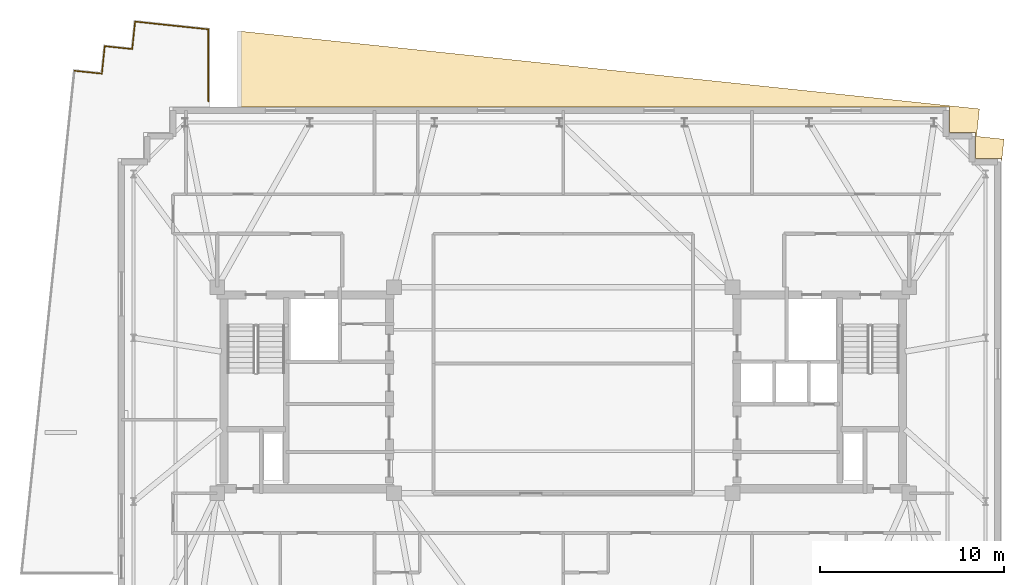
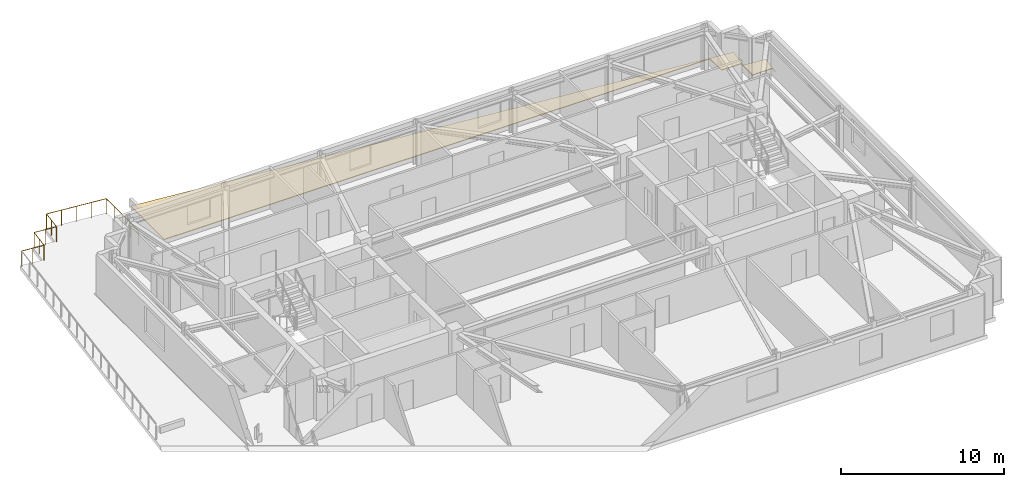
# One storey, part 12 of 12: 1 covering, 1 railing.
"""IFC4 building model written with IfcOpenShell, lengths in metres."""

import ifcopenshell
import ifcopenshell.guid

model = None  # the IFC model being written
_history = None  # IfcOwnerHistory: only IFC2X3 demands one
_inside = {}  # id of a spatial element -> (the spatial element, [elements in it])
_under = {}  # id of a project, library or spatial element -> (it, [spatial elements below it])
_declared = {}  # id of a project -> (the project, [libraries it declares])
_typed = {}  # id of a type object -> (the type object, [elements of that type])
_made_of = {}  # id of a material, layer set ... -> (it, [elements and type objects made of it])


def new_model(schema):
    """Start an empty IFC model of exactly this schema.

    Asked for "IFC4X3", IfcOpenShell would pick the latest addendum, in which some entities
    have other attributes; the version numbers below select the first issue.
    IFC2X3 requires an IfcOwnerHistory on every rooted entity: one is made here for all.
    """
    global model, _history
    if schema == "IFC4X3":
        model = ifcopenshell.file(schema_version=(4, 3, 0, 0))
    else:
        model = ifcopenshell.file(schema=schema)
    _inside.clear()
    _under.clear()
    _declared.clear()
    _typed.clear()
    _made_of.clear()
    _history = None
    if model.schema == "IFC2X3":
        org = make("IfcOrganization", Name="unknown")
        user = make(
            "IfcPersonAndOrganization",
            ThePerson=make("IfcPerson", FamilyName="unknown"),
            TheOrganization=org,
        )
        app = make(
            "IfcApplication",
            ApplicationDeveloper=org,
            Version="unknown",
            ApplicationFullName="unknown",
            ApplicationIdentifier="unknown",
        )
        _history = make(
            "IfcOwnerHistory",
            OwningUser=user,
            OwningApplication=app,
            ChangeAction="ADDED",
            CreationDate=0,
        )
    return model


def make(cls, **values):
    """One entity of the class cls with the attributes given. An attribute that is None is left unset."""
    return model.create_entity(
        cls, **{name: value for name, value in values.items() if value is not None}
    )


def rooted(cls, **values):
    """An entity with a GlobalId (a new one), such as an element, a storey or a relation."""
    return make(cls, GlobalId=ifcopenshell.guid.new(), OwnerHistory=_history, **values)


def si_unit(unit_type, name, prefix=None):
    """IfcSIUnit, for example si_unit("LENGTHUNIT", "METRE", prefix="MILLI")."""
    return make("IfcSIUnit", UnitType=unit_type, Prefix=prefix, Name=name)


def assignment(units):
    """IfcUnitAssignment: the units of a project."""
    return None if units is None else make("IfcUnitAssignment", Units=units)


def point(xyz):
    """IfcCartesianPoint."""
    return None if xyz is None else make("IfcCartesianPoint", Coordinates=xyz)


def direction(xyz):
    """IfcDirection."""
    return None if xyz is None else make("IfcDirection", DirectionRatios=xyz)


def frame(location, z_axis=None, x_axis=None):
    """IfcAxis2Placement3D, a coordinate frame: its origin and axes. An axis left out is left unset."""
    return make(
        "IfcAxis2Placement3D",
        Location=point(location),
        Axis=direction(z_axis),
        RefDirection=direction(x_axis),
    )


def frame_2d(location, x_axis=None):
    """IfcAxis2Placement2D, a coordinate frame in the plane: its origin and x axis."""
    return make(
        "IfcAxis2Placement2D", Location=point(location), RefDirection=direction(x_axis)
    )


def origin():
    """The frame at (0, 0, 0) with its axes left unset."""
    return frame((0.0, 0.0, 0.0))


def origin_2d():
    """The frame at (0, 0) in the plane with its x axis left unset."""
    return frame_2d((0.0, 0.0))


def place(relative_to, where):
    """IfcLocalPlacement: puts the frame where relative to a parent placement (None: the world)."""
    return make(
        "IfcLocalPlacement", PlacementRelTo=relative_to, RelativePlacement=where
    )


def context(
    kind, dimensions, precision=None, world=None, true_north=None, identifier=None
):
    """IfcGeometricRepresentationContext, for example the 3D "Model" context."""
    return make(
        "IfcGeometricRepresentationContext",
        ContextIdentifier=identifier,
        ContextType=kind,
        CoordinateSpaceDimension=dimensions,
        Precision=precision,
        WorldCoordinateSystem=world,
        TrueNorth=true_north,
    )


def subcontext(parent, identifier, kind, view, scale=None):
    """IfcGeometricRepresentationSubContext, for example "Body" below "Model"."""
    return make(
        "IfcGeometricRepresentationSubContext",
        ContextIdentifier=identifier,
        ContextType=kind,
        ParentContext=parent,
        TargetScale=scale,
        TargetView=view,
    )


def project(units=None, contexts=None):
    """IfcProject with its units and contexts."""
    return rooted(
        "IfcProject",
        Name="project",
        RepresentationContexts=contexts,
        UnitsInContext=assignment(units),
    )


def spatial(cls, under=None, at=None, **own):
    """A site, building, storey or space (cls), placed at a placement, below another one or the project."""
    s = rooted(cls, ObjectPlacement=at, **own)
    if under is not None:
        _under.setdefault(under.id(), (under, []))[1].append(s)
    return s


def polyline(points):
    """IfcPolyline through the points."""
    return make("IfcPolyline", Points=[point(p) for p in points])


def profile(cls, at=None, kind="AREA", **sizes):
    """A parametric profile (cls). Its sizes go by their IFC names, for example OverallWidth=200.0."""
    return make(cls, ProfileType=kind, Position=at, **sizes)


def circle(**sizes):
    """IfcCircleProfileDef."""
    return profile("IfcCircleProfileDef", **sizes)


def outline(outer, holes=None, kind="AREA"):
    """IfcArbitraryClosedProfileDef: a profile drawn as a closed curve; with holes, ...WithVoids."""
    if holes is None:
        return make("IfcArbitraryClosedProfileDef", ProfileType=kind, OuterCurve=outer)
    return make(
        "IfcArbitraryProfileDefWithVoids",
        ProfileType=kind,
        OuterCurve=outer,
        InnerCurves=holes,
    )


def extrude(swept, where, along, depth):
    """IfcExtrudedAreaSolid: the profile swept, set in the frame where, extruded along a direction by depth."""
    return make(
        "IfcExtrudedAreaSolid",
        SweptArea=swept,
        Position=where,
        ExtrudedDirection=direction(along),
        Depth=depth,
    )


def shape(context_of_items, identifier, shape_type, items):
    """IfcShapeRepresentation: the items that make up one representation, for example the "Body"."""
    return make(
        "IfcShapeRepresentation",
        ContextOfItems=context_of_items,
        RepresentationIdentifier=identifier,
        RepresentationType=shape_type,
        Items=items,
    )


def material(Name=None, Category=None):
    """IfcMaterial."""
    return make("IfcMaterial", Name=Name, Category=Category)


def layer(
    of_material, thickness, ventilated=None, Name=None, Category=None, Priority=None
):
    """IfcMaterialLayer: one layer of a wall or slab, of a material (None: an air gap)."""
    return make(
        "IfcMaterialLayer",
        Material=of_material,
        LayerThickness=thickness,
        IsVentilated=ventilated,
        Name=Name,
        Category=Category,
        Priority=Priority,
    )


def layer_set(layers, Name=None):
    """IfcMaterialLayerSet."""
    return make("IfcMaterialLayerSet", MaterialLayers=layers, LayerSetName=Name)


def made_of(thing, what):
    """Note that an element or type object is made of a material, layer set ...; save() writes the relation."""
    if what is not None:
        _made_of.setdefault(what.id(), (what, []))[1].append(thing)
    return thing


def type_object(cls, material=None, **own):
    """A type object (cls), such as IfcWallType, which elements share."""
    return made_of(rooted(cls, **own), material)


def element(
    cls,
    number,
    at=None,
    inside=None,
    cuts=None,
    type_object=None,
    material=None,
    context=None,
    identifier="Body",
    shape_type=None,
    held_by="IfcProductDefinitionShape",
    body=None,
    shapes=None,
    **own,
):
    """One element of the class cls, such as IfcWall. Its Tag is "e" and its number.

    at: its placement. inside: the storey or other place that contains it. cuts: it is an
    opening in that element (IfcRelVoidsElement). A single representation is given by context,
    identifier, shape_type and body (its items); several are given by shapes. held_by: the class
    of the entity that holds the representations. save() writes the other relations.
    """
    e = rooted(cls, Tag="e%d" % number, ObjectPlacement=at, **own)
    if body is not None:
        shapes = [shape(context, identifier, shape_type, body)]
    if shapes is not None:
        e.Representation = make(held_by, Representations=shapes)
    if inside is not None:
        _inside.setdefault(inside.id(), (inside, []))[1].append(e)
    if cuts is not None:
        rooted(
            "IfcRelVoidsElement", RelatingBuildingElement=cuts, RelatedOpeningElement=e
        )
    if type_object is not None:
        _typed.setdefault(type_object.id(), (type_object, []))[1].append(e)
    return made_of(e, material)


def aggregate(whole, parts):
    """IfcRelAggregates: a whole, such as a stair, and the parts it consists of."""
    return rooted("IfcRelAggregates", RelatingObject=whole, RelatedObjects=parts)


def save(model, path):
    """Write the relations noted so far, then the file.

    IfcRelAggregates (storeys below a building ...), IfcRelContainedInSpatialStructure (elements
    in a storey), IfcRelDefinesByType, IfcRelAssociatesMaterial and IfcRelDeclares: one each for
    every whole, place, type object, material and project.
    """
    for whole, parts in _under.values():
        aggregate(whole, parts)
    for where, things in _inside.values():
        rooted(
            "IfcRelContainedInSpatialStructure",
            RelatedElements=things,
            RelatingStructure=where,
        )
    for kind, things in _typed.values():
        rooted("IfcRelDefinesByType", RelatedObjects=things, RelatingType=kind)
    for what, things in _made_of.values():
        rooted("IfcRelAssociatesMaterial", RelatedObjects=things, RelatingMaterial=what)
    for by, libraries in _declared.values():
        rooted("IfcRelDeclares", RelatingContext=by, RelatedDefinitions=libraries)
    model.write(path)


model = new_model("IFC4")

# Units and contexts
model_context = context("Model", 3, precision=1e-05, world=origin(), true_north=direction((0.0, 1.0)))
body_context = subcontext(model_context, "Body", "Model", "MODEL_VIEW")
ifc_project = project(units=[si_unit("LENGTHUNIT", "METRE"), si_unit("AREAUNIT", "SQUARE_METRE"), si_unit("VOLUMEUNIT", "CUBIC_METRE"), si_unit("PLANEANGLEUNIT", "RADIAN"), si_unit("MASSUNIT", "GRAM", prefix="KILO")], contexts=[model_context])

# Site, building, storey
site_placement = place(None, origin())
site = spatial("IfcSite", under=ifc_project, at=site_placement, CompositionType="ELEMENT")
building_placement = place(site_placement, origin())
building = spatial("IfcBuilding", under=site, at=building_placement, Name="Qobustan Lattice House", CompositionType="ELEMENT")
storey_placement = place(building_placement, frame((0.0, 0.0, 228.300048828125)))
storey = spatial("IfcBuildingStorey", under=building, at=storey_placement, Name="L64", CompositionType="ELEMENT", Elevation=228.300048828125)

# Covering
ifc_material_1 = material(Name="Insulated stone-ballasted roof membrane", Category="masonry")
ifc_layer = layer(ifc_material_1, 0.050048828125)
ifc_layer_set = layer_set([ifc_layer], Name="Insulated stone-ballasted roof membrane")
covering_type = type_object("IfcCoveringType", Name="COV-ROOF-MEMB", PredefinedType="ROOFING", material=ifc_layer_set)
covering_placement = place(storey_placement, origin())
element("IfcCovering", 1, at=covering_placement, inside=storey, type_object=covering_type, Name="L64 setback roof membrane 1", PredefinedType="ROOFING", context=body_context, shape_type="SweptSolid", body=[
    extrude(outline(polyline([(-17.60009765625, 19.515625), (-17.60009765625, 15.39990234375), (21.0, 15.39990234375), (21.0, 14.0), (22.39990234375, 14.0), (22.39990234375, 12.60009765625), (23.800048828125, 12.60009765625), (23.800048828125, 12.23046875), (23.947998046875, 13.640380859375), (22.456298828125, 13.797119140625), (22.61328125, 15.2890625), (-17.60009765625, 19.515625)])), origin(), (0.0, 0.0, 1.0), 0.050048828125),
])

# Railing
ifc_material_2 = material(Name="Anodised bronze and laminated glass balustrade", Category="glass")
railing_type = type_object("IfcRailingType", Name="RAL-TERR-1150", PredefinedType="BALUSTRADE", material=ifc_material_2)
railing_placement = place(storey_placement, frame((-26.559814453125, 17.3603515625, 0.0)))
element("IfcRailing", 2, at=railing_placement, inside=storey, type_object=railing_type, Name="L64 outdoor terrace balustrade 1", PredefinedType="BALUSTRADE", context=body_context, shape_type="SweptSolid", body=[
    extrude(circle(Radius=0.02392578125, at=origin_2d()), frame((0.0, 0.0, 1.1259765625), z_axis=(0.994526834051, -0.104481464157, 0.0), x_axis=(0.104481464157, 0.994526834051, 0.0)), (0.0, 0.0, 1.0), 1.500244140625),
    extrude(circle(Radius=0.02392578125, at=origin_2d()), frame((1.491943359375, -0.15673828125, 1.1259765625), z_axis=(0.104498377516, 0.994525057048, 0.0), x_axis=(-0.994525057048, 0.104498377516, 0.0)), (0.0, 0.0, 1.0), 1.5),
    extrude(circle(Radius=0.02392578125, at=origin_2d()), frame((1.648681640625, 1.3349609375, 1.1259765625), z_axis=(0.994526834051, -0.104481464157, 0.0), x_axis=(0.104481464157, 0.994526834051, 0.0)), (0.0, 0.0, 1.0), 1.500244140625),
    extrude(circle(Radius=0.02392578125, at=origin_2d()), frame((3.140625, 1.17822265625, 1.1259765625), z_axis=(0.104337380787, 0.994541960387, 0.0), x_axis=(-0.994541960387, 0.104337380787, 0.0)), (0.0, 0.0, 1.0), 1.5),
    extrude(circle(Radius=0.02392578125, at=origin_2d()), frame((3.297119140625, 2.669921875, 1.1259765625), z_axis=(0.99452547805, -0.104494370709, 0.0), x_axis=(0.104494370709, 0.99452547805, 0.0)), (0.0, 0.0, 1.0), 4.004638671875),
    extrude(circle(Radius=0.02392578125, at=origin_2d()), frame((7.27978515625, 2.25146484375, 1.1259765625), z_axis=(0.0, -1.0, 0.0), x_axis=(1.0, 0.0, 0.0)), (0.0, 0.0, 1.0), 3.911865234375),
    extrude(circle(Radius=0.02099609375, at=origin_2d()), origin(), (0.0, 0.0, 1.0), 1.101806640625),
    extrude(circle(Radius=0.02099609375, at=origin_2d()), frame((0.74609375, -0.078369140625, 0.0)), (0.0, 0.0, 1.0), 1.101806640625),
    extrude(circle(Radius=0.02099609375, at=origin_2d()), frame((1.491943359375, -0.15673828125, 0.0)), (0.0, 0.0, 1.0), 1.101806640625),
    extrude(circle(Radius=0.02099609375, at=origin_2d()), frame((1.5703125, 0.589111328125, 0.0)), (0.0, 0.0, 1.0), 1.101806640625),
    extrude(circle(Radius=0.02099609375, at=origin_2d()), frame((1.648681640625, 1.3349609375, 0.0)), (0.0, 0.0, 1.0), 1.101806640625),
    extrude(circle(Radius=0.02099609375, at=origin_2d()), frame((2.39453125, 1.256591796875, 0.0)), (0.0, 0.0, 1.0), 1.101806640625),
    extrude(circle(Radius=0.02099609375, at=origin_2d()), frame((3.140625, 1.17822265625, 0.0)), (0.0, 0.0, 1.0), 1.101806640625),
    extrude(circle(Radius=0.02099609375, at=origin_2d()), frame((3.21875, 1.924072265625, 0.0)), (0.0, 0.0, 1.0), 1.101806640625),
    extrude(circle(Radius=0.02099609375, at=origin_2d()), frame((3.297119140625, 2.669921875, 0.0)), (0.0, 0.0, 1.0), 1.101806640625),
    extrude(circle(Radius=0.02099609375, at=origin_2d()), frame((4.292724609375, 2.5654296875, 0.0)), (0.0, 0.0, 1.0), 1.101806640625),
    extrude(circle(Radius=0.02099609375, at=origin_2d()), frame((5.28857421875, 2.460693359375, 0.0)), (0.0, 0.0, 1.0), 1.101806640625),
    extrude(circle(Radius=0.02099609375, at=origin_2d()), frame((6.2841796875, 2.35595703125, 0.0)), (0.0, 0.0, 1.0), 1.101806640625),
    extrude(circle(Radius=0.02099609375, at=origin_2d()), frame((7.27978515625, 2.25146484375, 0.0)), (0.0, 0.0, 1.0), 1.101806640625),
    extrude(circle(Radius=0.02099609375, at=origin_2d()), frame((7.27978515625, 1.2734375, 0.0)), (0.0, 0.0, 1.0), 1.101806640625),
    extrude(circle(Radius=0.02099609375, at=origin_2d()), frame((7.27978515625, 0.29541015625, 0.0)), (0.0, 0.0, 1.0), 1.101806640625),
    extrude(circle(Radius=0.02099609375, at=origin_2d()), frame((7.27978515625, -0.682373046875, 0.0)), (0.0, 0.0, 1.0), 1.101806640625),
    extrude(circle(Radius=0.02099609375, at=origin_2d()), frame((7.27978515625, -1.660400390625, 0.0)), (0.0, 0.0, 1.0), 1.101806640625),
])

save(model, "model.ifc")
